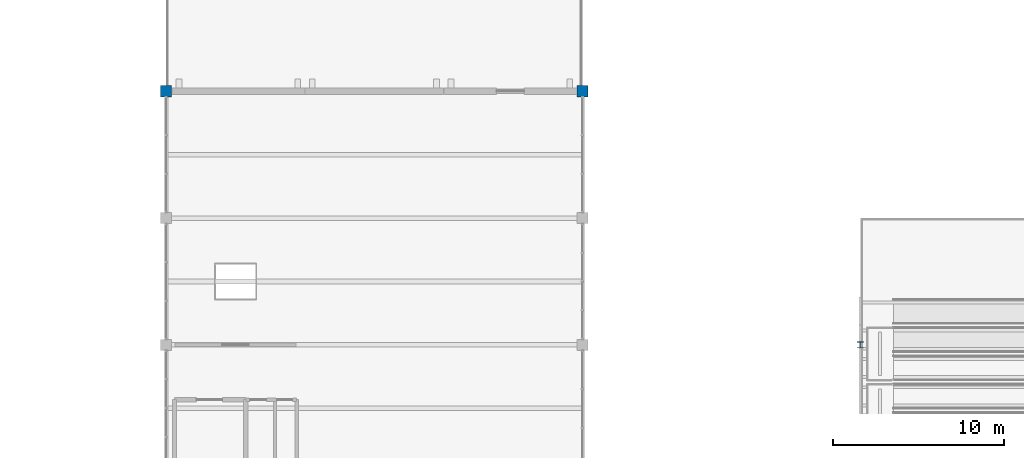
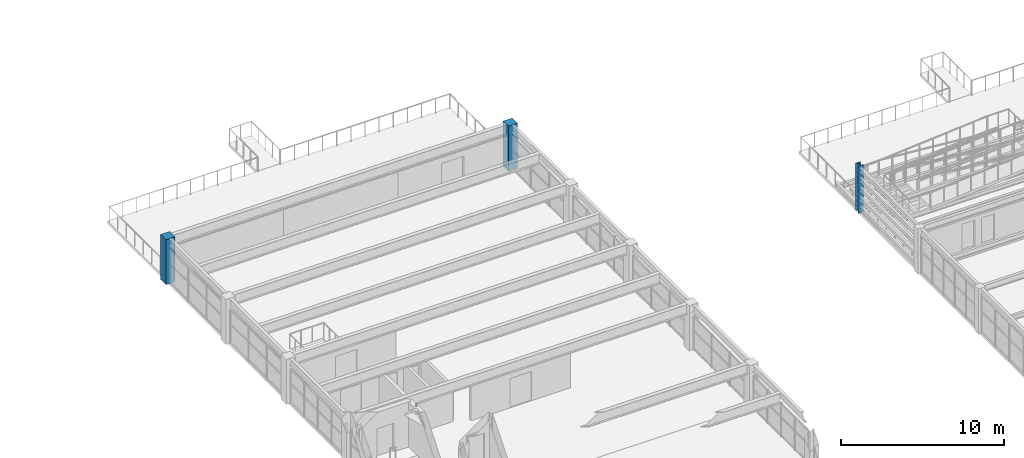
# One storey, part 2 of 93: 3 columns.
"""IFC4 building model written with IfcOpenShell, lengths in metres."""

from ifc_helpers import new_model, si_unit, direction, frame, origin, origin_2d, place, context, subcontext, project, spatial, rectangle, i_section, extrude, material, material_profile, profile_set, type_object, element, save


model = new_model("IFC4")

# Units and contexts
model_context = context("Model", 3, precision=1e-05, world=origin(), true_north=direction((0.0, 1.0)))
body_context = subcontext(model_context, "Body", "Model", "MODEL_VIEW")
ifc_project = project(units=[si_unit("LENGTHUNIT", "METRE"), si_unit("AREAUNIT", "SQUARE_METRE"), si_unit("VOLUMEUNIT", "CUBIC_METRE"), si_unit("PLANEANGLEUNIT", "RADIAN"), si_unit("MASSUNIT", "GRAM", prefix="KILO")], contexts=[model_context])

# Site, building, storey
site_placement = place(None, origin())
site = spatial("IfcSite", under=ifc_project, at=site_placement, CompositionType="ELEMENT")
building_placement = place(site_placement, origin())
building = spatial("IfcBuilding", under=site, at=building_placement, Name="Cimatlan Art Gallery", CompositionType="ELEMENT")
storey_placement = place(building_placement, frame((0.0, 0.0, 13.800048828125)))
storey = spatial("IfcBuildingStorey", under=building, at=storey_placement, Name="L03", CompositionType="ELEMENT", Elevation=13.800048828125)

# Columns
ifc_material_1 = material(Name="Concrete C45/55", Category="concrete")
ifc_material_profile_1 = material_profile(ifc_material_1, rectangle(XDim=0.64990234375, YDim=0.64990234375, at=origin_2d()), Name="RC650X650")
ifc_profile_set_1 = profile_set([ifc_material_profile_1], Name="Concrete C45/55")
column_type_1 = type_object("IfcColumnType", Name="COL-RC-650", PredefinedType="COLUMN", material=ifc_profile_set_1)
for number, where, z_axis, x_axis, name in (
    (1, (74.89990234375, 90.5, 0.0), (0.0, 0.0, 1.0), (1.0, 0.0, 0.0), "COL-L03-09-12"),
    (2, (99.199951171875, 90.5, 0.0), (0.0, 0.0, 1.0), (1.0, 0.0, 0.0), "COL-L03-12-12"),
):
    element("IfcColumn", number, at=place(storey_placement, frame(where, z_axis=z_axis, x_axis=x_axis)), inside=storey, type_object=column_type_1, Name=name, PredefinedType="COLUMN", context=body_context, shape_type="SweptSolid", body=[
        extrude(rectangle(XDim=0.64990234375, YDim=0.64990234375, at=origin_2d()), origin(), (0.0, 0.0, 1.0), 3.3798828125),
    ])
ifc_material_2 = material(Name="Steel ASTM A992 Grade 50", Category="steel")
ifc_material_profile_2 = material_profile(ifc_material_2, i_section(OverallWidth=0.368896484375, OverallDepth=0.35595703125, WebThickness=0.01123046875, FlangeThickness=0.01806640625, at=origin_2d()), Name="W14X90")
ifc_profile_set_2 = profile_set([ifc_material_profile_2], Name="Steel ASTM A992 Grade 50")
column_type_2 = type_object("IfcColumnType", Name="COL-STL-W14X90", PredefinedType="COLUMN", material=ifc_profile_set_2)
column_placement = place(storey_placement, frame((115.39990234375, 75.699951171875, 0.0), z_axis=(0.0, 0.0, 1.0), x_axis=(1.0, 0.0, 0.0)))
element("IfcColumn", 3, at=column_placement, inside=storey, type_object=column_type_2, Name="COL-RMP-TER-U4-PRT-W", PredefinedType="COLUMN", context=body_context, shape_type="SweptSolid", body=[
    extrude(i_section(OverallWidth=0.368896484375, OverallDepth=0.35595703125, WebThickness=0.01123046875, FlangeThickness=0.01806640625, at=origin_2d()), origin(), (0.0, 0.0, 1.0), 3.550048828125),
])

save(model, "model.ifc")
